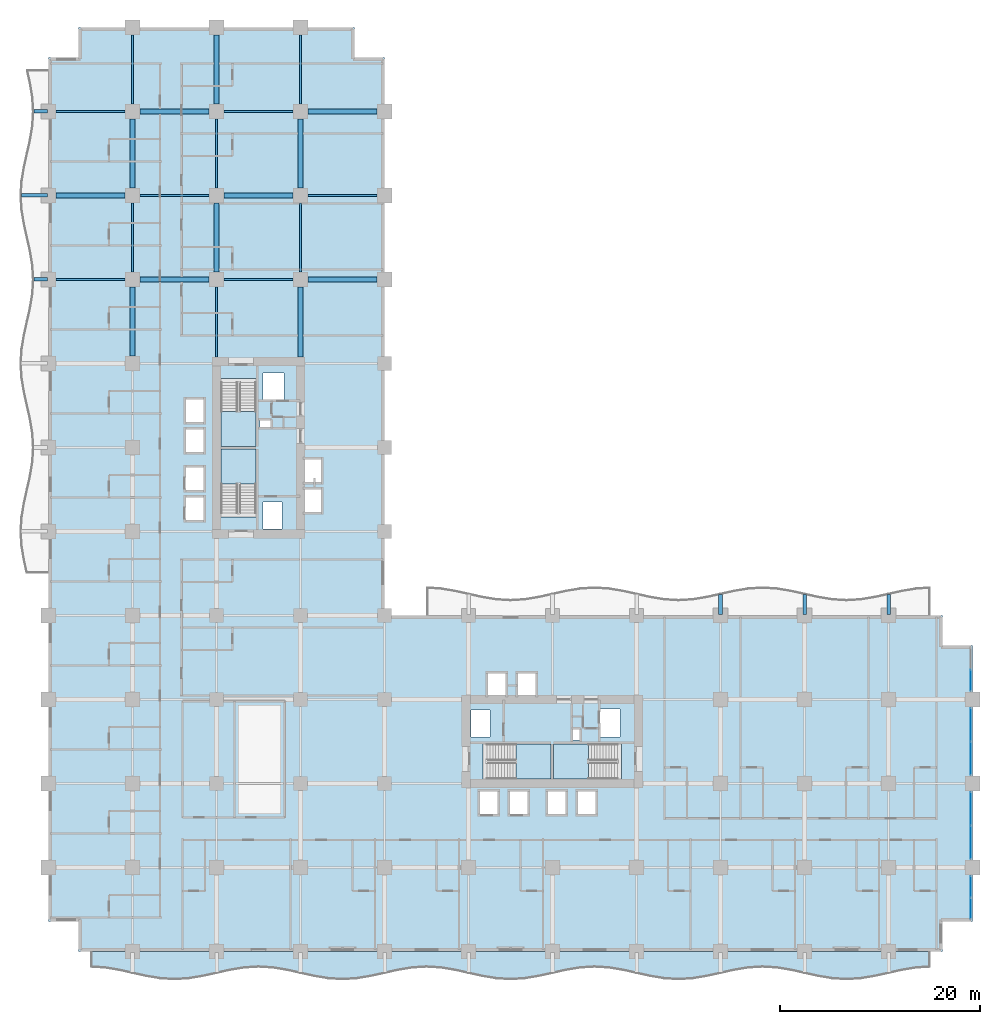
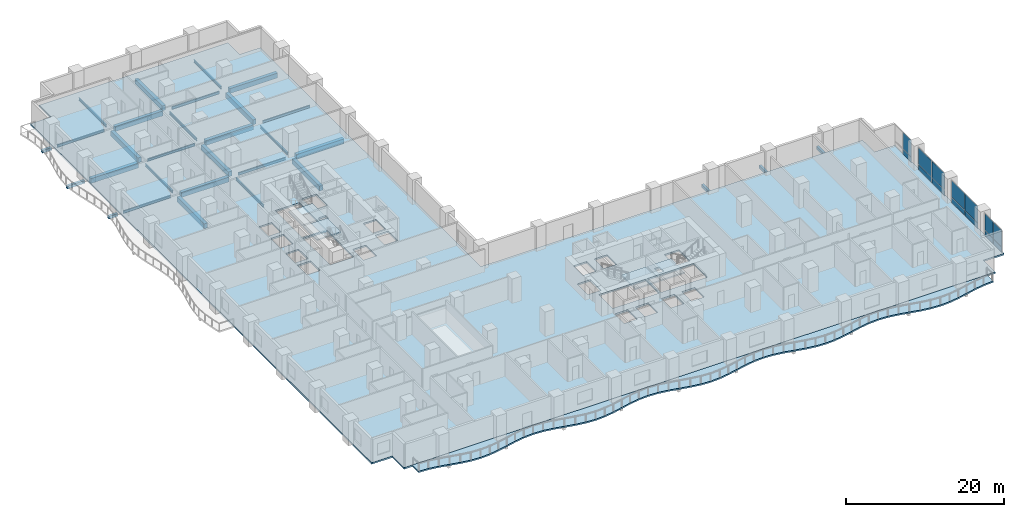
# One storey, part 8 of 26: 30 beams, 14 plates, 6 slabs, 8 elements without a shape of their own.
"""IFC4 building model written with IfcOpenShell, lengths in metres."""

from ifc_helpers import new_model, si_unit, direction, frame, origin, origin_2d, place, context, subcontext, project, spatial, polyline, rectangle, i_section, outline, extrude, material, layer, layer_set, material_profile, profile_set, type_object, element, aggregate, save


model = new_model("IFC4")

# Units and contexts
model_context = context("Model", 3, precision=1e-05, world=origin(), true_north=direction((0.0, 1.0)))
body_context = subcontext(model_context, "Body", "Model", "MODEL_VIEW")
ifc_project = project(units=[si_unit("LENGTHUNIT", "METRE"), si_unit("AREAUNIT", "SQUARE_METRE"), si_unit("VOLUMEUNIT", "CUBIC_METRE"), si_unit("PLANEANGLEUNIT", "RADIAN"), si_unit("MASSUNIT", "GRAM", prefix="KILO")], contexts=[model_context])

# Site, building, storey
site_placement = place(None, origin())
site = spatial("IfcSite", under=ifc_project, at=site_placement, CompositionType="ELEMENT")
building_placement = place(site_placement, origin())
building = spatial("IfcBuilding", under=site, at=building_placement, Name="Koriwani Terraces Tower", CompositionType="ELEMENT")
storey_placement = place(building_placement, frame((0.0, 0.0, 39.60009765625)))
storey = spatial("IfcBuildingStorey", under=building, at=storey_placement, Name="L08", CompositionType="ELEMENT", Elevation=39.60009765625)

# Beams
ifc_material_1 = material(Name="Concrete C40/50", Category="concrete")
ifc_material_profile_1 = material_profile(ifc_material_1, rectangle(XDim=0.35009765625, YDim=0.449951171875, at=origin_2d()), Name="Concrete C40/50", Category="LoadBearing")
ifc_profile_set_1 = profile_set([ifc_material_profile_1], Name="Concrete C40/50")
beam_type_1 = type_object("IfcBeamType", Name="BEAM_RC_BALCONY_RIB_350X450", PredefinedType="JOIST", material=ifc_profile_set_1)
beam_1_placement = place(storey_placement, frame((-1.449951171875, 67.199951171875, -0.47509765625), z_axis=(1.0, 0.0, 0.0), x_axis=(0.0, 1.0, 0.0)))
element("IfcBeam", 1, at=beam_1_placement, inside=storey, type_object=beam_type_1, Name="L08 Balcony Bracket Rib W-4", PredefinedType="JOIST", context=body_context, shape_type="SweptSolid", body=[
    extrude(rectangle(XDim=0.35009765625, YDim=0.449951171875, at=origin_2d()), origin(), (0.0, 0.0, 1.0), 1.349853515625),
])
beam_2_placement = place(storey_placement, frame((-2.699951171875, 75.60009765625, -0.47509765625), z_axis=(1.0, 0.0, 0.0), x_axis=(0.0, 1.0, 0.0)))
element("IfcBeam", 2, at=beam_2_placement, inside=storey, type_object=beam_type_1, Name="L08 Balcony Bracket Rib W-5", PredefinedType="JOIST", context=body_context, shape_type="SweptSolid", body=[
    extrude(rectangle(XDim=0.35009765625, YDim=0.449951171875, at=origin_2d()), origin(), (0.0, 0.0, 1.0), 2.599853515625),
])
beam_3_placement = place(storey_placement, frame((-1.449951171875, 84.0, -0.47509765625), z_axis=(1.0, 0.0, 0.0), x_axis=(0.0, 1.0, 0.0)))
element("IfcBeam", 3, at=beam_3_placement, inside=storey, type_object=beam_type_1, Name="L08 Balcony Bracket Rib W-6", PredefinedType="JOIST", context=body_context, shape_type="SweptSolid", body=[
    extrude(rectangle(XDim=0.35009765625, YDim=0.449951171875, at=origin_2d()), origin(), (0.0, 0.0, 1.0), 1.349853515625),
])
for number, where, z_axis, x_axis, name in (
    (4, (67.199951171875, 33.699951171875, -0.47509765625), (0.0, 1.0, 0.0), (-1.0, 0.0, 0.0), "L08 Balcony Bracket Rib NE-4"),
    (5, (75.60009765625, 33.699951171875, -0.47509765625), (0.0, 1.0, 0.0), (-1.0, 0.0, 0.0), "L08 Balcony Bracket Rib NE-5"),
    (6, (84.0, 33.699951171875, -0.47509765625), (0.0, 1.0, 0.0), (-1.0, 0.0, 0.0), "L08 Balcony Bracket Rib NE-6"),
):
    element("IfcBeam", number, at=place(storey_placement, frame(where, z_axis=z_axis, x_axis=x_axis)), inside=storey, type_object=beam_type_1, Name=name, PredefinedType="JOIST", context=body_context, shape_type="SweptSolid", body=[
        extrude(rectangle(XDim=0.35009765625, YDim=0.449951171875, at=origin_2d()), origin(), (0.0, 0.0, 1.0), 1.97509765625),
    ])
ifc_material_2 = material(Name="Concrete C50/60", Category="concrete")
ifc_material_profile_2 = material_profile(ifc_material_2, rectangle(XDim=0.5, YDim=0.75, at=origin_2d()), Name="Concrete C50/60", Category="LoadBearing")
ifc_profile_set_2 = profile_set([ifc_material_profile_2], Name="Concrete C50/60")
beam_type_2 = type_object("IfcBeamType", Name="BEAM_RC_GRID_500X750", PredefinedType="BEAM", material=ifc_profile_set_2)
for number, where, z_axis, x_axis, name in (
    (7, (9.1298828125, 67.199951171875, -0.625), (1.0, 0.0, 0.0), (0.0, 1.0, 0.0), "L08 Grid Beam I (8.4-16.8m)"),
    (8, (25.929931640625, 67.199951171875, -0.625), (1.0, 0.0, 0.0), (0.0, 1.0, 0.0), "L08 Grid Beam I (25.2-33.6m)"),
):
    element("IfcBeam", number, at=place(storey_placement, frame(where, z_axis=z_axis, x_axis=x_axis)), inside=storey, type_object=beam_type_2, Name=name, PredefinedType="BEAM", context=body_context, shape_type="SweptSolid", body=[
        extrude(rectangle(XDim=0.5, YDim=0.75, at=origin_2d()), origin(), (0.0, 0.0, 1.0), 6.940185546875),
    ])
for number, where, z_axis, x_axis, name in (
    (9, (0.72998046875, 75.60009765625, -0.625), (1.0, 0.0, 0.0), (0.0, 1.0, 0.0), "L08 Grid Beam J (0.0-8.4m)"),
    (10, (17.530029296875, 75.60009765625, -0.625), (1.0, 0.0, 0.0), (0.0, 1.0, 0.0), "L08 Grid Beam J (16.8-25.2m)"),
):
    element("IfcBeam", number, at=place(storey_placement, frame(where, z_axis=z_axis, x_axis=x_axis)), inside=storey, type_object=beam_type_2, Name=name, PredefinedType="BEAM", context=body_context, shape_type="SweptSolid", body=[
        extrude(rectangle(XDim=0.5, YDim=0.75, at=origin_2d()), origin(), (0.0, 0.0, 1.0), 6.93994140625),
    ])
for number, where, z_axis, x_axis, name in (
    (11, (9.1298828125, 84.0, -0.625), (1.0, 0.0, 0.0), (0.0, 1.0, 0.0), "L08 Grid Beam K (8.4-16.8m)"),
    (12, (25.929931640625, 84.0, -0.625), (1.0, 0.0, 0.0), (0.0, 1.0, 0.0), "L08 Grid Beam K (25.2-33.6m)"),
):
    element("IfcBeam", number, at=place(storey_placement, frame(where, z_axis=z_axis, x_axis=x_axis)), inside=storey, type_object=beam_type_2, Name=name, PredefinedType="BEAM", context=body_context, shape_type="SweptSolid", body=[
        extrude(rectangle(XDim=0.5, YDim=0.75, at=origin_2d()), origin(), (0.0, 0.0, 1.0), 6.940185546875),
    ])
for number, where, z_axis, x_axis, name in (
    (13, (8.39990234375, 59.530029296875, -0.625), (0.0, 1.0, 0.0), (-1.0, 0.0, 0.0), "L08 Grid Beam 2 (58.8-67.2m)"),
    (14, (8.39990234375, 76.330078125, -0.625), (0.0, 1.0, 0.0), (-1.0, 0.0, 0.0), "L08 Grid Beam 2 (75.6-84.0m)"),
):
    element("IfcBeam", number, at=place(storey_placement, frame(where, z_axis=z_axis, x_axis=x_axis)), inside=storey, type_object=beam_type_2, Name=name, PredefinedType="BEAM", context=body_context, shape_type="SweptSolid", body=[
        extrude(rectangle(XDim=0.5, YDim=0.75, at=origin_2d()), origin(), (0.0, 0.0, 1.0), 6.93994140625),
    ])
beam_4_placement = place(storey_placement, frame((16.800048828125, 67.929931640625, -0.625), z_axis=(0.0, 1.0, 0.0), x_axis=(-1.0, 0.0, 0.0)))
element("IfcBeam", 15, at=beam_4_placement, inside=storey, type_object=beam_type_2, Name="L08 Grid Beam 3 (67.2-75.6m)", PredefinedType="BEAM", context=body_context, shape_type="SweptSolid", body=[
    extrude(rectangle(XDim=0.5, YDim=0.75, at=origin_2d()), origin(), (0.0, 0.0, 1.0), 6.940185546875),
])
beam_5_placement = place(storey_placement, frame((16.800048828125, 84.72998046875, -0.625), z_axis=(0.0, 1.0, 0.0), x_axis=(-1.0, 0.0, 0.0)))
element("IfcBeam", 16, at=beam_5_placement, inside=storey, type_object=beam_type_2, Name="L08 Grid Beam 3 (84.0-92.4m)", PredefinedType="BEAM", context=body_context, shape_type="SweptSolid", body=[
    extrude(rectangle(XDim=0.5, YDim=0.75, at=origin_2d()), origin(), (0.0, 0.0, 1.0), 6.93994140625),
])
beam_6_placement = place(storey_placement, frame((25.199951171875, 59.429931640625, -0.625), z_axis=(0.0, 1.0, 0.0), x_axis=(-1.0, 0.0, 0.0)))
element("IfcBeam", 17, at=beam_6_placement, inside=storey, type_object=beam_type_2, Name="L08 Grid Beam 4 (58.8-67.2m)", PredefinedType="BEAM", context=body_context, shape_type="SweptSolid", body=[
    extrude(rectangle(XDim=0.5, YDim=0.75, at=origin_2d()), origin(), (0.0, 0.0, 1.0), 7.0400390625),
])
beam_7_placement = place(storey_placement, frame((25.199951171875, 76.330078125, -0.625), z_axis=(0.0, 1.0, 0.0), x_axis=(-1.0, 0.0, 0.0)))
element("IfcBeam", 18, at=beam_7_placement, inside=storey, type_object=beam_type_2, Name="L08 Grid Beam 4 (75.6-84.0m)", PredefinedType="BEAM", context=body_context, shape_type="SweptSolid", body=[
    extrude(rectangle(XDim=0.5, YDim=0.75, at=origin_2d()), origin(), (0.0, 0.0, 1.0), 6.93994140625),
])
ifc_material_3 = material(Name="Steel ASTM A572 Grade 50", Category="steel")
ifc_material_profile_3 = material_profile(ifc_material_3, i_section(OverallWidth=0.180908203125, OverallDepth=0.4169921875, WebThickness=0.010986328125, FlangeThickness=0.018310546875, at=origin_2d()), Name="Steel ASTM A572 Grade 50", Category="LoadBearing")
ifc_profile_set_3 = profile_set([ifc_material_profile_3], Name="Steel ASTM A572 Grade 50")
beam_type_3 = type_object("IfcBeamType", Name="STEEL_BEAM_W410X85", PredefinedType="JOIST", material=ifc_profile_set_3)
for number, where, z_axis, x_axis, name in (
    (19, (0.72998046875, 67.199951171875, -0.45849609375), (1.0, 0.0, 0.0), (0.0, 1.0, 0.0), "L08 Grid Beam I (0.0-8.4m)"),
    (20, (17.530029296875, 67.199951171875, -0.45849609375), (1.0, 0.0, 0.0), (0.0, 1.0, 0.0), "L08 Grid Beam I (16.8-25.2m)"),
):
    element("IfcBeam", number, at=place(storey_placement, frame(where, z_axis=z_axis, x_axis=x_axis)), inside=storey, type_object=beam_type_3, Name=name, PredefinedType="JOIST", context=body_context, shape_type="SweptSolid", body=[
        extrude(i_section(OverallWidth=0.180908203125, OverallDepth=0.4169921875, WebThickness=0.010986328125, FlangeThickness=0.018310546875, at=origin_2d()), origin(), (0.0, 0.0, 1.0), 6.93994140625),
    ])
for number, where, z_axis, x_axis, name in (
    (21, (9.1298828125, 75.60009765625, -0.45849609375), (1.0, 0.0, 0.0), (0.0, 1.0, 0.0), "L08 Grid Beam J (8.4-16.8m)"),
    (22, (25.929931640625, 75.60009765625, -0.45849609375), (1.0, 0.0, 0.0), (0.0, 1.0, 0.0), "L08 Grid Beam J (25.2-33.6m)"),
):
    element("IfcBeam", number, at=place(storey_placement, frame(where, z_axis=z_axis, x_axis=x_axis)), inside=storey, type_object=beam_type_3, Name=name, PredefinedType="JOIST", context=body_context, shape_type="SweptSolid", body=[
        extrude(i_section(OverallWidth=0.180908203125, OverallDepth=0.4169921875, WebThickness=0.010986328125, FlangeThickness=0.018310546875, at=origin_2d()), origin(), (0.0, 0.0, 1.0), 6.940185546875),
    ])
for number, where, z_axis, x_axis, name in (
    (23, (0.72998046875, 84.0, -0.45849609375), (1.0, 0.0, 0.0), (0.0, 1.0, 0.0), "L08 Grid Beam K (0.0-8.4m)"),
    (24, (17.530029296875, 84.0, -0.45849609375), (1.0, 0.0, 0.0), (0.0, 1.0, 0.0), "L08 Grid Beam K (16.8-25.2m)"),
):
    element("IfcBeam", number, at=place(storey_placement, frame(where, z_axis=z_axis, x_axis=x_axis)), inside=storey, type_object=beam_type_3, Name=name, PredefinedType="JOIST", context=body_context, shape_type="SweptSolid", body=[
        extrude(i_section(OverallWidth=0.180908203125, OverallDepth=0.4169921875, WebThickness=0.010986328125, FlangeThickness=0.018310546875, at=origin_2d()), origin(), (0.0, 0.0, 1.0), 6.93994140625),
    ])
beam_8_placement = place(storey_placement, frame((8.39990234375, 67.929931640625, -0.45849609375), z_axis=(0.0, 1.0, 0.0), x_axis=(-1.0, 0.0, 0.0)))
element("IfcBeam", 25, at=beam_8_placement, inside=storey, type_object=beam_type_3, Name="L08 Grid Beam 2 (67.2-75.6m)", PredefinedType="JOIST", context=body_context, shape_type="SweptSolid", body=[
    extrude(i_section(OverallWidth=0.180908203125, OverallDepth=0.4169921875, WebThickness=0.010986328125, FlangeThickness=0.018310546875, at=origin_2d()), origin(), (0.0, 0.0, 1.0), 6.940185546875),
])
beam_9_placement = place(storey_placement, frame((8.39990234375, 84.72998046875, -0.45849609375), z_axis=(0.0, 1.0, 0.0), x_axis=(-1.0, 0.0, 0.0)))
element("IfcBeam", 26, at=beam_9_placement, inside=storey, type_object=beam_type_3, Name="L08 Grid Beam 2 (84.0-92.4m)", PredefinedType="JOIST", context=body_context, shape_type="SweptSolid", body=[
    extrude(i_section(OverallWidth=0.180908203125, OverallDepth=0.4169921875, WebThickness=0.010986328125, FlangeThickness=0.018310546875, at=origin_2d()), origin(), (0.0, 0.0, 1.0), 6.93994140625),
])
beam_10_placement = place(storey_placement, frame((16.800048828125, 59.429931640625, -0.45849609375), z_axis=(0.0, 1.0, 0.0), x_axis=(-1.0, 0.0, 0.0)))
element("IfcBeam", 27, at=beam_10_placement, inside=storey, type_object=beam_type_3, Name="L08 Grid Beam 3 (58.8-67.2m)", PredefinedType="JOIST", context=body_context, shape_type="SweptSolid", body=[
    extrude(i_section(OverallWidth=0.180908203125, OverallDepth=0.4169921875, WebThickness=0.010986328125, FlangeThickness=0.018310546875, at=origin_2d()), origin(), (0.0, 0.0, 1.0), 7.0400390625),
])
beam_11_placement = place(storey_placement, frame((16.800048828125, 76.330078125, -0.45849609375), z_axis=(0.0, 1.0, 0.0), x_axis=(-1.0, 0.0, 0.0)))
element("IfcBeam", 28, at=beam_11_placement, inside=storey, type_object=beam_type_3, Name="L08 Grid Beam 3 (75.6-84.0m)", PredefinedType="JOIST", context=body_context, shape_type="SweptSolid", body=[
    extrude(i_section(OverallWidth=0.180908203125, OverallDepth=0.4169921875, WebThickness=0.010986328125, FlangeThickness=0.018310546875, at=origin_2d()), origin(), (0.0, 0.0, 1.0), 6.93994140625),
])
beam_12_placement = place(storey_placement, frame((25.199951171875, 67.929931640625, -0.45849609375), z_axis=(0.0, 1.0, 0.0), x_axis=(-1.0, 0.0, 0.0)))
element("IfcBeam", 29, at=beam_12_placement, inside=storey, type_object=beam_type_3, Name="L08 Grid Beam 4 (67.2-75.6m)", PredefinedType="JOIST", context=body_context, shape_type="SweptSolid", body=[
    extrude(i_section(OverallWidth=0.180908203125, OverallDepth=0.4169921875, WebThickness=0.010986328125, FlangeThickness=0.018310546875, at=origin_2d()), origin(), (0.0, 0.0, 1.0), 6.940185546875),
])
beam_13_placement = place(storey_placement, frame((25.199951171875, 84.72998046875, -0.45849609375), z_axis=(0.0, 1.0, 0.0), x_axis=(-1.0, 0.0, 0.0)))
element("IfcBeam", 30, at=beam_13_placement, inside=storey, type_object=beam_type_3, Name="L08 Grid Beam 4 (84.0-92.4m)", PredefinedType="JOIST", context=body_context, shape_type="SweptSolid", body=[
    extrude(i_section(OverallWidth=0.180908203125, OverallDepth=0.4169921875, WebThickness=0.010986328125, FlangeThickness=0.018310546875, at=origin_2d()), origin(), (0.0, 0.0, 1.0), 6.93994140625),
])

# Curtain wall, plates
ifc_material_4 = material(Name="Anodised Bronze Aluminium", Category="aluminium")
ifc_layer_1 = layer(ifc_material_4, 0.179931640625, Name="Anodised Bronze Aluminium")
ifc_layer_set_1 = layer_set([ifc_layer_1], Name="Anodised Bronze Aluminium")
curtain_wall_type = type_object("IfcCurtainWallType", Name="CW_HOTEL_ZONE1", PredefinedType="NOTDEFINED", material=ifc_layer_set_1)
curtain_wall_1_placement = place(storey_placement, origin())
curtain_wall_1 = element("IfcCurtainWall", 31, at=curtain_wall_1_placement, inside=storey, type_object=curtain_wall_type, Name="L08 Unitised Curtain Wall (E_TIP) Bay 1", PredefinedType="NOTDEFINED")
ifc_material_5 = material(Name="Tempered Laminated Low-E Glass", Category="glass")
ifc_layer_2 = layer(ifc_material_5, 0.028076171875, Name="Tempered Laminated Low-E Glass")
ifc_layer_set_2 = layer_set([ifc_layer_2], Name="Tempered Laminated Low-E Glass")
plate_type = type_object("IfcPlateType", Name="CW_PANEL_VISION_28", PredefinedType="CURTAIN_PANEL", material=ifc_layer_set_2)
plate_1_placement = place(storey_placement, frame((92.22509765625, 27.132568359375, 0.06494140625), z_axis=(0.0, 0.0, 1.0), x_axis=(0.0, -1.0, 0.0)))
plate_1 = element("IfcPlate", 32, at=plate_1_placement, type_object=plate_type, Name="CW-Z1 panel 2.1", PredefinedType="CURTAIN_PANEL", context=body_context, shape_type="SweptSolid", body=[
    extrude(rectangle(XDim=2.094970703125, YDim=0.028076171875, at=origin_2d()), origin(), (0.0, 0.0, 1.0), 0.802490234375),
])
plate_2_placement = place(storey_placement, frame((92.22509765625, 27.132568359375, 0.9326171875), z_axis=(0.0, 0.0, 1.0), x_axis=(0.0, -1.0, 0.0)))
plate_2 = element("IfcPlate", 33, at=plate_2_placement, type_object=plate_type, Name="CW-Z1 panel 2.2", PredefinedType="CURTAIN_PANEL", context=body_context, shape_type="SweptSolid", body=[
    extrude(rectangle(XDim=2.094970703125, YDim=0.028076171875, at=origin_2d()), origin(), (0.0, 0.0, 1.0), 2.552490234375),
])
aggregate(curtain_wall_1, [plate_1, plate_2])

curtain_wall_2_placement = place(storey_placement, origin())
curtain_wall_2 = element("IfcCurtainWall", 34, at=curtain_wall_2_placement, inside=storey, type_object=curtain_wall_type, Name="L08 Unitised Curtain Wall (E_TIP) Bay 2", PredefinedType="NOTDEFINED")
plate_3_placement = place(storey_placement, frame((92.22509765625, 22.67626953125, 0.06494140625), z_axis=(0.0, 0.0, 1.0), x_axis=(0.0, -1.0, 0.0)))
plate_3 = element("IfcPlate", 35, at=plate_3_placement, type_object=plate_type, Name="CW-Z1 panel 1.1", PredefinedType="CURTAIN_PANEL", context=body_context, shape_type="SweptSolid", body=[
    extrude(rectangle(XDim=3.277587890625, YDim=0.028076171875, at=origin_2d()), origin(), (0.0, 0.0, 1.0), 0.802490234375),
])
plate_4_placement = place(storey_placement, frame((92.22509765625, 22.67626953125, 0.9326171875), z_axis=(0.0, 0.0, 1.0), x_axis=(0.0, -1.0, 0.0)))
plate_4 = element("IfcPlate", 36, at=plate_4_placement, type_object=plate_type, Name="CW-Z1 panel 1.2", PredefinedType="CURTAIN_PANEL", context=body_context, shape_type="SweptSolid", body=[
    extrude(rectangle(XDim=3.277587890625, YDim=0.028076171875, at=origin_2d()), origin(), (0.0, 0.0, 1.0), 2.552490234375),
])
plate_5_placement = place(storey_placement, frame((92.22509765625, 19.32373046875, 0.06494140625), z_axis=(0.0, 0.0, 1.0), x_axis=(0.0, -1.0, 0.0)))
plate_5 = element("IfcPlate", 37, at=plate_5_placement, type_object=plate_type, Name="CW-Z1 panel 2.1", PredefinedType="CURTAIN_PANEL", context=body_context, shape_type="SweptSolid", body=[
    extrude(rectangle(XDim=3.277587890625, YDim=0.028076171875, at=origin_2d()), origin(), (0.0, 0.0, 1.0), 0.802490234375),
])
plate_6_placement = place(storey_placement, frame((92.22509765625, 19.32373046875, 0.9326171875), z_axis=(0.0, 0.0, 1.0), x_axis=(0.0, -1.0, 0.0)))
plate_6 = element("IfcPlate", 38, at=plate_6_placement, type_object=plate_type, Name="CW-Z1 panel 2.2", PredefinedType="CURTAIN_PANEL", context=body_context, shape_type="SweptSolid", body=[
    extrude(rectangle(XDim=3.277587890625, YDim=0.028076171875, at=origin_2d()), origin(), (0.0, 0.0, 1.0), 2.552490234375),
])
aggregate(curtain_wall_2, [plate_3, plate_4, plate_5, plate_6])

curtain_wall_3_placement = place(storey_placement, origin())
curtain_wall_3 = element("IfcCurtainWall", 39, at=curtain_wall_3_placement, inside=storey, type_object=curtain_wall_type, Name="L08 Unitised Curtain Wall (E_TIP) Bay 3", PredefinedType="NOTDEFINED")
plate_7_placement = place(storey_placement, frame((92.22509765625, 14.2763671875, 0.06494140625), z_axis=(0.0, 0.0, 1.0), x_axis=(0.0, -1.0, 0.0)))
plate_7 = element("IfcPlate", 40, at=plate_7_placement, type_object=plate_type, Name="CW-Z1 panel 1.1", PredefinedType="CURTAIN_PANEL", context=body_context, shape_type="SweptSolid", body=[
    extrude(rectangle(XDim=3.277587890625, YDim=0.028076171875, at=origin_2d()), origin(), (0.0, 0.0, 1.0), 0.802490234375),
])
plate_8_placement = place(storey_placement, frame((92.22509765625, 14.2763671875, 0.9326171875), z_axis=(0.0, 0.0, 1.0), x_axis=(0.0, -1.0, 0.0)))
plate_8 = element("IfcPlate", 41, at=plate_8_placement, type_object=plate_type, Name="CW-Z1 panel 1.2", PredefinedType="CURTAIN_PANEL", context=body_context, shape_type="SweptSolid", body=[
    extrude(rectangle(XDim=3.277587890625, YDim=0.028076171875, at=origin_2d()), origin(), (0.0, 0.0, 1.0), 2.552490234375),
])
plate_9_placement = place(storey_placement, frame((92.22509765625, 10.923828125, 0.06494140625), z_axis=(0.0, 0.0, 1.0), x_axis=(0.0, -1.0, 0.0)))
plate_9 = element("IfcPlate", 42, at=plate_9_placement, type_object=plate_type, Name="CW-Z1 panel 2.1", PredefinedType="CURTAIN_PANEL", context=body_context, shape_type="SweptSolid", body=[
    extrude(rectangle(XDim=3.277587890625, YDim=0.028076171875, at=origin_2d()), origin(), (0.0, 0.0, 1.0), 0.802490234375),
])
plate_10_placement = place(storey_placement, frame((92.22509765625, 10.923828125, 0.9326171875), z_axis=(0.0, 0.0, 1.0), x_axis=(0.0, -1.0, 0.0)))
plate_10 = element("IfcPlate", 43, at=plate_10_placement, type_object=plate_type, Name="CW-Z1 panel 2.2", PredefinedType="CURTAIN_PANEL", context=body_context, shape_type="SweptSolid", body=[
    extrude(rectangle(XDim=3.277587890625, YDim=0.028076171875, at=origin_2d()), origin(), (0.0, 0.0, 1.0), 2.552490234375),
])
aggregate(curtain_wall_3, [plate_7, plate_8, plate_9, plate_10])

curtain_wall_4_placement = place(storey_placement, origin())
curtain_wall_4 = element("IfcCurtainWall", 44, at=curtain_wall_4_placement, inside=storey, type_object=curtain_wall_type, Name="L08 Unitised Curtain Wall (E_TIP) Bay 4", PredefinedType="NOTDEFINED")
plate_11_placement = place(storey_placement, frame((92.22509765625, 6.467529296875, 0.06494140625), z_axis=(0.0, 0.0, 1.0), x_axis=(0.0, -1.0, 0.0)))
plate_11 = element("IfcPlate", 45, at=plate_11_placement, type_object=plate_type, Name="CW-Z1 panel 1.1", PredefinedType="CURTAIN_PANEL", context=body_context, shape_type="SweptSolid", body=[
    extrude(rectangle(XDim=2.094970703125, YDim=0.028076171875, at=origin_2d()), origin(), (0.0, 0.0, 1.0), 0.802490234375),
])
plate_12_placement = place(storey_placement, frame((92.22509765625, 6.467529296875, 0.9326171875), z_axis=(0.0, 0.0, 1.0), x_axis=(0.0, -1.0, 0.0)))
plate_12 = element("IfcPlate", 46, at=plate_12_placement, type_object=plate_type, Name="CW-Z1 panel 1.2", PredefinedType="CURTAIN_PANEL", context=body_context, shape_type="SweptSolid", body=[
    extrude(rectangle(XDim=2.094970703125, YDim=0.028076171875, at=origin_2d()), origin(), (0.0, 0.0, 1.0), 2.552490234375),
])
plate_13_placement = place(storey_placement, frame((92.22509765625, 4.297607421875, 0.06494140625), z_axis=(0.0, 0.0, 1.0), x_axis=(0.0, -1.0, 0.0)))
plate_13 = element("IfcPlate", 47, at=plate_13_placement, type_object=plate_type, Name="CW-Z1 panel 2.1", PredefinedType="CURTAIN_PANEL", context=body_context, shape_type="SweptSolid", body=[
    extrude(rectangle(XDim=2.094970703125, YDim=0.028076171875, at=origin_2d()), origin(), (0.0, 0.0, 1.0), 0.802490234375),
])
plate_14_placement = place(storey_placement, frame((92.22509765625, 4.297607421875, 0.9326171875), z_axis=(0.0, 0.0, 1.0), x_axis=(0.0, -1.0, 0.0)))
plate_14 = element("IfcPlate", 48, at=plate_14_placement, type_object=plate_type, Name="CW-Z1 panel 2.2", PredefinedType="CURTAIN_PANEL", context=body_context, shape_type="SweptSolid", body=[
    extrude(rectangle(XDim=2.094970703125, YDim=0.028076171875, at=origin_2d()), origin(), (0.0, 0.0, 1.0), 2.552490234375),
])
aggregate(curtain_wall_4, [plate_11, plate_12, plate_13, plate_14])

# Slab
ifc_layer_3 = layer(ifc_material_1, 0.219970703125, Name="Concrete C40/50")
ifc_layer_set_3 = layer_set([ifc_layer_3], Name="Concrete C40/50")
slab_type_1 = type_object("IfcSlabType", Name="SLAB_BALCONY_220", PredefinedType="FLOOR", material=ifc_layer_set_3)
slab_1_placement = place(storey_placement, frame((0.0, 0.0, -0.22021484375)))
element("IfcSlab", 49, at=slab_1_placement, inside=storey, type_object=slab_type_1, Name="L08 Quilted Circular-Arc Balcony (S)", PredefinedType="FLOOR", context=body_context, shape_type="SweptSolid", body=[
    extrude(outline(polyline([(4.199951171875, 0.0), (5.60009765625, 0.0), (7.0, 0.0), (8.39990234375, 0.0), (9.800048828125, 0.0), (11.199951171875, 0.0), (12.60009765625, 0.0), (14.0, 0.0), (15.39990234375, 0.0), (16.800048828125, 0.0), (18.199951171875, 0.0), (19.60009765625, 0.0), (21.0, 0.0), (22.39990234375, 0.0), (23.800048828125, 0.0), (25.199951171875, 0.0), (26.60009765625, 0.0), (28.0, 0.0), (29.39990234375, 0.0), (30.800048828125, 0.0), (32.199951171875, 0.0), (33.60009765625, 0.0), (35.0, 0.0), (36.39990234375, 0.0), (37.800048828125, 0.0), (39.199951171875, 0.0), (40.60009765625, 0.0), (42.0, 0.0), (43.39990234375, 0.0), (44.800048828125, 0.0), (46.199951171875, 0.0), (47.60009765625, 0.0), (49.0, 0.0), (50.39990234375, 0.0), (51.800048828125, 0.0), (53.199951171875, 0.0), (54.60009765625, 0.0), (56.0, 0.0), (57.39990234375, 0.0), (58.800048828125, 0.0), (60.199951171875, 0.0), (61.60009765625, 0.0), (63.0, 0.0), (64.39990234375, 0.0), (65.800048828125, 0.0), (67.199951171875, 0.0), (68.60009765625, 0.0), (70.0, 0.0), (71.39990234375, 0.0), (72.800048828125, 0.0), (74.199951171875, 0.0), (75.60009765625, 0.0), (77.0, 0.0), (78.39990234375, 0.0), (79.800048828125, 0.0), (81.199951171875, 0.0), (82.60009765625, 0.0), (84.0, 0.0), (85.39990234375, 0.0), (86.800048828125, 0.0), (88.199951171875, 0.0), (88.199951171875, -1.60009765625), (86.800048828125, -1.68359375), (85.39990234375, -1.91259765625), (84.0, -2.22509765625), (82.60009765625, -2.53759765625), (81.199951171875, -2.766357421875), (79.800048828125, -2.85009765625), (78.39990234375, -2.766357421875), (77.0, -2.53759765625), (75.60009765625, -2.22509765625), (74.199951171875, -1.91259765625), (72.800048828125, -1.68359375), (71.39990234375, -1.60009765625), (70.0, -1.68359375), (68.60009765625, -1.91259765625), (67.199951171875, -2.22509765625), (65.800048828125, -2.53759765625), (64.39990234375, -2.766357421875), (63.0, -2.85009765625), (61.60009765625, -2.766357421875), (60.199951171875, -2.53759765625), (58.800048828125, -2.22509765625), (57.39990234375, -1.91259765625), (56.0, -1.68359375), (54.60009765625, -1.60009765625), (53.199951171875, -1.68359375), (51.800048828125, -1.91259765625), (50.39990234375, -2.22509765625), (49.0, -2.53759765625), (47.60009765625, -2.766357421875), (46.199951171875, -2.85009765625), (44.800048828125, -2.766357421875), (43.39990234375, -2.53759765625), (42.0, -2.22509765625), (40.60009765625, -1.91259765625), (39.199951171875, -1.68359375), (37.800048828125, -1.60009765625), (36.39990234375, -1.68359375), (35.0, -1.91259765625), (33.60009765625, -2.22509765625), (32.199951171875, -2.53759765625), (30.800048828125, -2.766357421875), (29.39990234375, -2.85009765625), (28.0, -2.766357421875), (26.60009765625, -2.53759765625), (25.199951171875, -2.22509765625), (23.800048828125, -1.91259765625), (22.39990234375, -1.68359375), (21.0, -1.60009765625), (19.60009765625, -1.68359375), (18.199951171875, -1.91259765625), (16.800048828125, -2.22509765625), (15.39990234375, -2.53759765625), (14.0, -2.766357421875), (12.60009765625, -2.85009765625), (11.199951171875, -2.766357421875), (9.800048828125, -2.53759765625), (8.39990234375, -2.22509765625), (7.0, -1.91259765625), (5.60009765625, -1.68359375), (4.199951171875, -1.60009765625), (4.199951171875, 0.0)])), origin(), (0.0, 0.0, 1.0), 0.22021484375),
])

# Stair, slab
stair_type = type_object("IfcStairType", Name="STAIR_CORE_DOGLEG_1650", PredefinedType="TWO_STRAIGHT_RUN_STAIR", material=ifc_material_1)
stair_1_placement = place(storey_placement, origin())
stair_1 = element("IfcStair", 50, at=stair_1_placement, inside=storey, type_object=stair_type, Name="L08 West Core Exit Stair 1", PredefinedType="HALF_TURN_STAIR")
ifc_layer_4 = layer(ifc_material_1, 0.199951171875, Name="Concrete C40/50")
ifc_layer_set_4 = layer_set([ifc_layer_4], Name="Concrete C40/50")
slab_type_2 = type_object("IfcSlabType", Name="SLAB_STAIR_LANDING_200", PredefinedType="LANDING", material=ifc_layer_set_4)
slab_2_placement = place(storey_placement, frame((0.0, 0.0, 1.699951171875)))
slab_2 = element("IfcSlab", 51, at=slab_2_placement, type_object=slab_type_2, Name="ST-W1 landing 1", PredefinedType="LANDING", context=body_context, shape_type="SweptSolid", body=[
    extrude(outline(polyline([(20.75, 46.75), (20.75, 50.25), (17.25, 50.25), (17.25, 46.75), (20.75, 46.75)])), origin(), (0.0, 0.0, 1.0), 0.199951171875),
])
aggregate(stair_1, [slab_2])

stair_2_placement = place(storey_placement, origin())
stair_2 = element("IfcStair", 52, at=stair_2_placement, inside=storey, type_object=stair_type, Name="L08 West Core Exit Stair 2", PredefinedType="HALF_TURN_STAIR")
slab_3_placement = place(storey_placement, frame((0.0, 0.0, 1.699951171875)))
slab_3 = element("IfcSlab", 53, at=slab_3_placement, type_object=slab_type_2, Name="ST-W2 landing 1", PredefinedType="LANDING", context=body_context, shape_type="SweptSolid", body=[
    extrude(outline(polyline([(17.25, 54.0), (17.25, 50.5), (20.75, 50.5), (20.75, 54.0), (17.25, 54.0)])), origin(), (0.0, 0.0, 1.0), 0.199951171875),
])
aggregate(stair_2, [slab_3])

stair_3_placement = place(storey_placement, origin())
stair_3 = element("IfcStair", 54, at=stair_3_placement, inside=storey, type_object=stair_type, Name="L08 East Core Exit Stair 1", PredefinedType="HALF_TURN_STAIR")
slab_4_placement = place(storey_placement, frame((0.0, 0.0, 1.699951171875)))
slab_4 = element("IfcSlab", 55, at=slab_4_placement, type_object=slab_type_2, Name="ST-E1 landing 1", PredefinedType="LANDING", context=body_context, shape_type="SweptSolid", body=[
    extrude(outline(polyline([(46.75, 17.25), (50.25, 17.25), (50.25, 20.75), (46.75, 20.75), (46.75, 17.25)])), origin(), (0.0, 0.0, 1.0), 0.199951171875),
])
aggregate(stair_3, [slab_4])

stair_4_placement = place(storey_placement, origin())
stair_4 = element("IfcStair", 56, at=stair_4_placement, inside=storey, type_object=stair_type, Name="L08 East Core Exit Stair 2", PredefinedType="HALF_TURN_STAIR")
slab_5_placement = place(storey_placement, frame((0.0, 0.0, 1.699951171875)))
slab_5 = element("IfcSlab", 57, at=slab_5_placement, type_object=slab_type_2, Name="ST-E2 landing 1", PredefinedType="LANDING", context=body_context, shape_type="SweptSolid", body=[
    extrude(outline(polyline([(54.0, 20.75), (50.5, 20.75), (50.5, 17.25), (54.0, 17.25), (54.0, 20.75)])), origin(), (0.0, 0.0, 1.0), 0.199951171875),
])
aggregate(stair_4, [slab_5])

# Slab
ifc_layer_5 = layer(ifc_material_1, 0.25, Name="Concrete C40/50")
ifc_layer_set_5 = layer_set([ifc_layer_5], Name="Concrete C40/50")
slab_type_3 = type_object("IfcSlabType", Name="SLAB_TOWER_TYP_250", PredefinedType="FLOOR", material=ifc_layer_set_5)
slab_6_placement = place(storey_placement, frame((0.0, 0.0, -0.25)))
element("IfcSlab", 58, at=slab_6_placement, inside=storey, type_object=slab_type_3, Name="L08 Structural Floor Slab", PredefinedType="FLOOR", context=body_context, shape_type="SweptSolid", body=[
    extrude(outline(polyline([(3.0, 0.0), (89.39990234375, 0.0), (89.39990234375, 3.0), (92.39990234375, 3.0), (92.39990234375, 30.60009765625), (89.39990234375, 30.60009765625), (89.39990234375, 33.60009765625), (33.60009765625, 33.60009765625), (33.60009765625, 89.39990234375), (30.60009765625, 89.39990234375), (30.60009765625, 92.39990234375), (3.0, 92.39990234375), (3.0, 89.39990234375), (0.0, 89.39990234375), (0.0, 3.0), (3.0, 3.0), (3.0, 0.0)]), holes=[polyline([(17.25, 43.4599609375), (20.75, 43.4599609375), (20.75, 50.25), (17.25, 50.25), (17.25, 43.4599609375)]), polyline([(17.25, 50.5), (20.75, 50.5), (20.75, 57.2900390625), (17.25, 57.2900390625), (17.25, 50.5)]), polyline([(43.4599609375, 17.25), (50.25, 17.25), (50.25, 20.75), (43.4599609375, 20.75), (43.4599609375, 17.25)]), polyline([(50.5, 17.25), (57.2900390625, 17.25), (57.2900390625, 20.75), (50.5, 20.75), (50.5, 17.25)]), polyline([(13.64990234375, 43.050048828125), (15.550048828125, 43.050048828125), (15.550048828125, 45.449951171875), (13.64990234375, 45.449951171875), (13.64990234375, 43.050048828125)]), polyline([(13.64990234375, 46.050048828125), (15.550048828125, 46.050048828125), (15.550048828125, 48.449951171875), (13.64990234375, 48.449951171875), (13.64990234375, 46.050048828125)]), polyline([(43.050048828125, 13.64990234375), (44.949951171875, 13.64990234375), (44.949951171875, 16.050048828125), (43.050048828125, 16.050048828125), (43.050048828125, 13.64990234375)]), polyline([(46.050048828125, 13.64990234375), (47.949951171875, 13.64990234375), (47.949951171875, 16.050048828125), (46.050048828125, 16.050048828125), (46.050048828125, 13.64990234375)]), polyline([(13.64990234375, 49.85009765625), (15.550048828125, 49.85009765625), (15.550048828125, 52.25), (13.64990234375, 52.25), (13.64990234375, 49.85009765625)]), polyline([(13.64990234375, 52.85009765625), (15.550048828125, 52.85009765625), (15.550048828125, 55.25), (13.64990234375, 55.25), (13.64990234375, 52.85009765625)]), polyline([(49.85009765625, 13.64990234375), (51.75, 13.64990234375), (51.75, 16.050048828125), (49.85009765625, 16.050048828125), (49.85009765625, 13.64990234375)]), polyline([(52.85009765625, 13.64990234375), (54.75, 13.64990234375), (54.75, 16.050048828125), (52.85009765625, 16.050048828125), (52.85009765625, 13.64990234375)]), polyline([(25.449951171875, 43.85009765625), (27.35009765625, 43.85009765625), (27.35009765625, 46.25), (25.449951171875, 46.25), (25.449951171875, 43.85009765625)]), polyline([(25.449951171875, 46.85009765625), (27.35009765625, 46.85009765625), (27.35009765625, 49.25), (25.449951171875, 49.25), (25.449951171875, 46.85009765625)]), polyline([(43.85009765625, 25.449951171875), (45.75, 25.449951171875), (45.75, 27.85009765625), (43.85009765625, 27.85009765625), (43.85009765625, 25.449951171875)]), polyline([(46.85009765625, 25.449951171875), (48.75, 25.449951171875), (48.75, 27.85009765625), (46.85009765625, 27.85009765625), (46.85009765625, 25.449951171875)]), polyline([(21.449951171875, 55.050048828125), (23.550048828125, 55.050048828125), (23.550048828125, 57.85009765625), (21.449951171875, 57.85009765625), (21.449951171875, 55.050048828125)]), polyline([(55.050048828125, 21.449951171875), (57.14990234375, 21.449951171875), (57.14990234375, 24.25), (55.050048828125, 24.25), (55.050048828125, 21.449951171875)]), polyline([(21.449951171875, 42.25), (23.35009765625, 42.25), (23.35009765625, 44.949951171875), (21.449951171875, 44.949951171875), (21.449951171875, 42.25)]), polyline([(42.25, 21.449951171875), (44.14990234375, 21.449951171875), (44.14990234375, 24.14990234375), (42.25, 24.14990234375), (42.25, 21.449951171875)]), polyline([(21.14990234375, 52.419921875), (22.219970703125, 52.419921875), (22.219970703125, 53.179931640625), (21.14990234375, 53.179931640625), (21.14990234375, 52.419921875)]), polyline([(52.419921875, 21.14990234375), (53.179931640625, 21.14990234375), (53.179931640625, 22.219970703125), (52.419921875, 22.219970703125), (52.419921875, 21.14990234375)])]), origin(), (0.0, 0.0, 1.0), 0.25),
])

save(model, "model.ifc")
